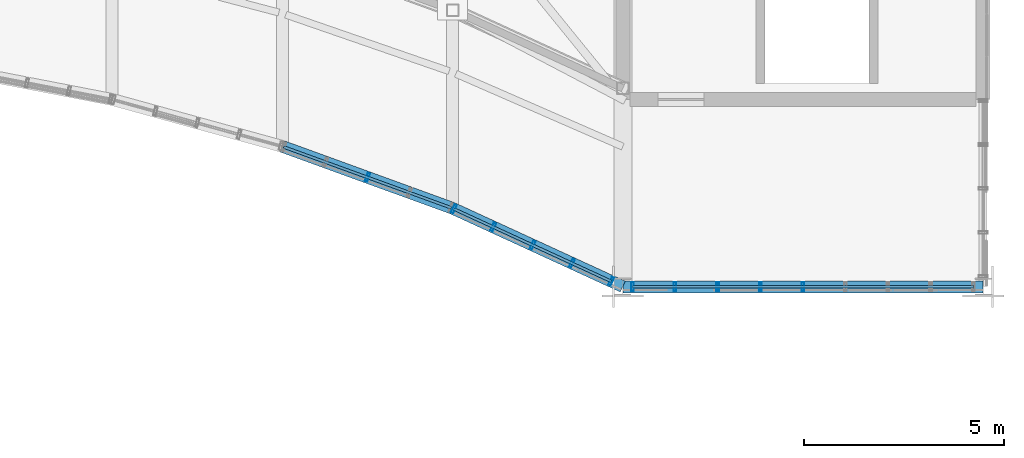
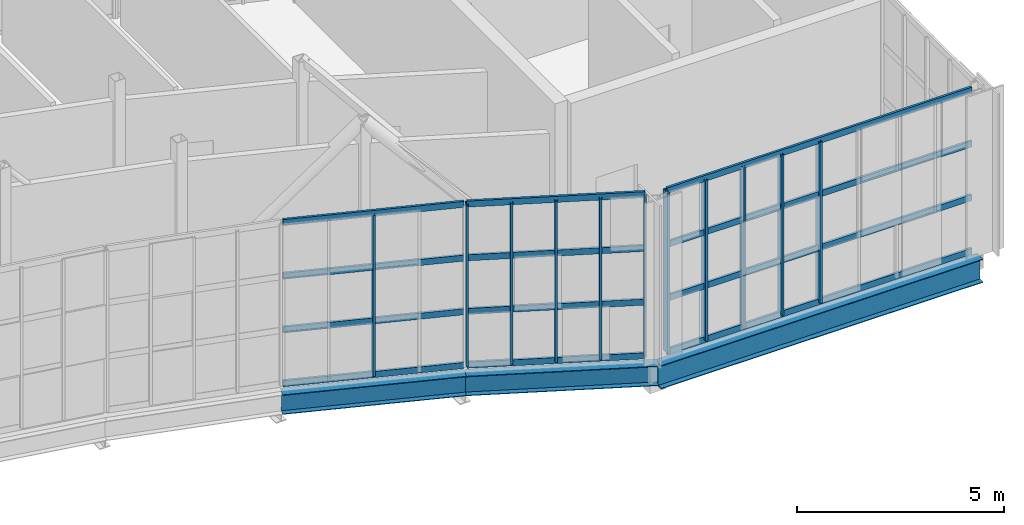
# One storey, part 23 of 46: 23 members, 3 beams, 3 elements without a shape of their own.
"""IFC4 building model written with IfcOpenShell, lengths in metres."""

from ifc_helpers import new_model, si_unit, direction, frame, origin, origin_2d, place, context, subcontext, project, spatial, hollow_rectangle, i_section, extrude, material, material_profile, profile_set, type_object, element, aggregate, save


model = new_model("IFC4")

# Units and contexts
model_context = context("Model", 3, precision=1e-05, world=origin(), true_north=direction((0.0, 1.0)))
body_context = subcontext(model_context, "Body", "Model", "MODEL_VIEW")
ifc_project = project(units=[si_unit("LENGTHUNIT", "METRE"), si_unit("AREAUNIT", "SQUARE_METRE"), si_unit("VOLUMEUNIT", "CUBIC_METRE"), si_unit("PLANEANGLEUNIT", "RADIAN"), si_unit("MASSUNIT", "GRAM", prefix="KILO")], contexts=[model_context])

# Site, building, storey
site_placement = place(None, origin())
site = spatial("IfcSite", under=ifc_project, at=site_placement, CompositionType="ELEMENT")
building_placement = place(site_placement, origin())
building = spatial("IfcBuilding", under=site, at=building_placement, Name="Solvikara Media Centre", CompositionType="ELEMENT")
storey_placement = place(building_placement, frame((0.0, 0.0, 24.60009765625)))
storey = spatial("IfcBuildingStorey", under=building, at=storey_placement, Name="L05", CompositionType="ELEMENT", Elevation=24.60009765625)

# Beams
ifc_material_1 = material(Name="Steel S355JR", Category="steel")
ifc_material_profile_1 = material_profile(ifc_material_1, i_section(OverallWidth=0.300048828125, OverallDepth=0.69189453125, WebThickness=0.012939453125, FlangeThickness=0.02001953125, at=origin_2d()), Name="H 692x300x13x20")
ifc_profile_set_1 = profile_set([ifc_material_profile_1], Name="Steel S355JR")
beam_type_1 = type_object("IfcBeamType", Name="BM-25", PredefinedType="BEAM", material=ifc_profile_set_1)
beam_1_placement = place(storey_placement, frame((127.5, 19.320068359375, -0.568115234375), z_axis=(1.0, 0.0, 0.0), x_axis=(0.0, 1.0, 0.0)))
element("IfcBeam", 1, at=beam_1_placement, inside=storey, type_object=beam_type_1, Name="B-L05-X1643", PredefinedType="BEAM", context=body_context, shape_type="SweptSolid", body=[
    extrude(i_section(OverallWidth=0.300048828125, OverallDepth=0.69189453125, WebThickness=0.012939453125, FlangeThickness=0.02001953125, at=origin_2d()), origin(), (0.0, 0.0, 1.0), 9.0),
])
ifc_material_profile_2 = material_profile(ifc_material_1, i_section(OverallWidth=0.300048828125, OverallDepth=0.58203125, WebThickness=0.011962890625, FlangeThickness=0.01708984375, at=origin_2d()), Name="WF 582x300x12x17")
ifc_profile_set_2 = profile_set([ifc_material_profile_2], Name="Steel S355JR")
beam_type_2 = type_object("IfcBeamType", Name="BM-31", PredefinedType="SPANDREL", material=ifc_profile_set_2)
beam_2_placement = place(storey_placement, frame((119.0, 22.823974609375, -0.51318359375), z_axis=(0.939831249065, -0.341639024821, 0.0), x_axis=(0.341639024821, 0.939831249065, 0.0)))
element("IfcBeam", 2, at=beam_2_placement, inside=storey, type_object=beam_type_2, Name="B-L05-SARC-10", PredefinedType="SPANDREL", context=body_context, shape_type="SweptSolid", body=[
    extrude(i_section(OverallWidth=0.300048828125, OverallDepth=0.58203125, WebThickness=0.011962890625, FlangeThickness=0.01708984375, at=origin_2d()), origin(), (0.0, 0.0, 1.0), 4.52197265625),
])
beam_3_placement = place(storey_placement, frame((123.25, 21.279052734375, -0.51318359375), z_axis=(0.908484112169, -0.417919391673, 0.0), x_axis=(0.417919391673, 0.908484112169, 0.0)))
element("IfcBeam", 3, at=beam_3_placement, inside=storey, type_object=beam_type_2, Name="B-L05-SARC-11", PredefinedType="SPANDREL", context=body_context, shape_type="SweptSolid", body=[
    extrude(i_section(OverallWidth=0.300048828125, OverallDepth=0.58203125, WebThickness=0.011962890625, FlangeThickness=0.01708984375, at=origin_2d()), origin(), (0.0, 0.0, 1.0), 4.67822265625),
])

# Curtain wall, member
ifc_material_2 = material(Name="Anodised aluminium EN AW-6063", Category="aluminium")
curtain_wall_type_1 = type_object("IfcCurtainWallType", Name="CW-01", PredefinedType="NOTDEFINED", material=ifc_material_2)
curtain_wall_1_placement = place(storey_placement, origin())
curtain_wall_1 = element("IfcCurtainWall", 4, at=curtain_wall_1_placement, inside=storey, type_object=curtain_wall_type_1, Name="CW-L05-SARC-10", PredefinedType="NOTDEFINED")
ifc_material_profile_3 = material_profile(ifc_material_2, hollow_rectangle(XDim=0.06494140625, YDim=0.219970703125, WallThickness=0.00390625, at=origin_2d()), Name="ALU-M 65x220x4")
ifc_profile_set_3 = profile_set([ifc_material_profile_3], Name="Anodised aluminium EN AW-6063")
member_type_1 = type_object("IfcMemberType", Name="MF-01", PredefinedType="MULLION", material=ifc_profile_set_3)
member_1_placement = place(storey_placement, frame((121.125, 22.051025390625, 0.02001953125), z_axis=(0.0, 0.0, 1.0), x_axis=(0.939823877818, -0.341659302058, 0.0)))
member_1 = element("IfcMember", 5, at=member_1_placement, type_object=member_type_1, Name="CW-L05-SARC-10-M02", PredefinedType="MULLION", context=body_context, shape_type="SweptSolid", body=[
    extrude(hollow_rectangle(XDim=0.06494140625, YDim=0.219970703125, WallThickness=0.00390625, at=origin_2d()), origin(), (0.0, 0.0, 1.0), 4.759765625),
])

# Curtain wall, members
curtain_wall_2_placement = place(storey_placement, origin())
curtain_wall_2 = element("IfcCurtainWall", 6, at=curtain_wall_2_placement, inside=storey, type_object=curtain_wall_type_1, Name="CW-L05-SARC-11", PredefinedType="NOTDEFINED")
member_2_placement = place(storey_placement, frame((123.281982421875, 21.263916015625, 0.02001953125), z_axis=(0.0, 0.0, 1.0), x_axis=(0.908464413608, -0.417962210264, 0.0)))
member_2 = element("IfcMember", 7, at=member_2_placement, type_object=member_type_1, Name="CW-L05-SARC-11-M00", PredefinedType="MULLION", context=body_context, shape_type="SweptSolid", body=[
    extrude(hollow_rectangle(XDim=0.06494140625, YDim=0.219970703125, WallThickness=0.00390625, at=origin_2d()), origin(), (0.0, 0.0, 1.0), 4.759765625),
])
member_3_placement = place(storey_placement, frame((124.264892578125, 20.81201171875, 0.02001953125), z_axis=(0.0, 0.0, 1.0), x_axis=(0.908464413608, -0.417962210264, 0.0)))
member_3 = element("IfcMember", 8, at=member_3_placement, type_object=member_type_1, Name="CW-L05-SARC-11-M01", PredefinedType="MULLION", context=body_context, shape_type="SweptSolid", body=[
    extrude(hollow_rectangle(XDim=0.06494140625, YDim=0.219970703125, WallThickness=0.00390625, at=origin_2d()), origin(), (0.0, 0.0, 1.0), 4.759765625),
])
member_4_placement = place(storey_placement, frame((125.248046875, 20.360107421875, 0.02001953125), z_axis=(0.0, 0.0, 1.0), x_axis=(0.908464413608, -0.417962210264, 0.0)))
member_4 = element("IfcMember", 9, at=member_4_placement, type_object=member_type_1, Name="CW-L05-SARC-11-M02", PredefinedType="MULLION", context=body_context, shape_type="SweptSolid", body=[
    extrude(hollow_rectangle(XDim=0.06494140625, YDim=0.219970703125, WallThickness=0.00390625, at=origin_2d()), origin(), (0.0, 0.0, 1.0), 4.759765625),
])
member_5_placement = place(storey_placement, frame((126.23095703125, 19.906982421875, 0.02001953125), z_axis=(0.0, 0.0, 1.0), x_axis=(0.908464413608, -0.417962210264, 0.0)))
member_5 = element("IfcMember", 10, at=member_5_placement, type_object=member_type_1, Name="CW-L05-SARC-11-M03", PredefinedType="MULLION", context=body_context, shape_type="SweptSolid", body=[
    extrude(hollow_rectangle(XDim=0.06494140625, YDim=0.219970703125, WallThickness=0.00390625, at=origin_2d()), origin(), (0.0, 0.0, 1.0), 4.759765625),
])
member_6_placement = place(storey_placement, frame((127.214111328125, 19.455078125, 0.02001953125), z_axis=(0.0, 0.0, 1.0), x_axis=(0.908464413608, -0.417962210264, 0.0)))
member_6 = element("IfcMember", 11, at=member_6_placement, type_object=member_type_1, Name="CW-L05-SARC-11-M04", PredefinedType="MULLION", context=body_context, shape_type="SweptSolid", body=[
    extrude(hollow_rectangle(XDim=0.06494140625, YDim=0.219970703125, WallThickness=0.00390625, at=origin_2d()), origin(), (0.0, 0.0, 1.0), 4.759765625),
])

curtain_wall_type_2 = type_object("IfcCurtainWallType", Name="CW-10", PredefinedType="NOTDEFINED", material=ifc_material_2)
curtain_wall_3_placement = place(storey_placement, origin())
curtain_wall_3 = element("IfcCurtainWall", 12, at=curtain_wall_3_placement, inside=storey, type_object=curtain_wall_type_2, Name="CW-L05-BHES", PredefinedType="NOTDEFINED")
member_7_placement = place(storey_placement, frame((127.742919921875, 19.323974609375, 0.02001953125), z_axis=(0.0, 0.0, 1.0), x_axis=(1.0, 0.0, 0.0)))
member_7 = element("IfcMember", 13, at=member_7_placement, type_object=member_type_1, Name="CW-L05-BHES-M00", PredefinedType="MULLION", context=body_context, shape_type="SweptSolid", body=[
    extrude(hollow_rectangle(XDim=0.06494140625, YDim=0.219970703125, WallThickness=0.00390625, at=origin_2d()), origin(), (0.0, 0.0, 1.0), 4.759765625),
])
member_8_placement = place(storey_placement, frame((128.806884765625, 19.323974609375, 0.02001953125), z_axis=(0.0, 0.0, 1.0), x_axis=(1.0, 0.0, 0.0)))
member_8 = element("IfcMember", 14, at=member_8_placement, type_object=member_type_1, Name="CW-L05-BHES-M01", PredefinedType="MULLION", context=body_context, shape_type="SweptSolid", body=[
    extrude(hollow_rectangle(XDim=0.06494140625, YDim=0.219970703125, WallThickness=0.00390625, at=origin_2d()), origin(), (0.0, 0.0, 1.0), 4.759765625),
])
member_9_placement = place(storey_placement, frame((129.87109375, 19.323974609375, 0.02001953125), z_axis=(0.0, 0.0, 1.0), x_axis=(1.0, 0.0, 0.0)))
member_9 = element("IfcMember", 15, at=member_9_placement, type_object=member_type_1, Name="CW-L05-BHES-M02", PredefinedType="MULLION", context=body_context, shape_type="SweptSolid", body=[
    extrude(hollow_rectangle(XDim=0.06494140625, YDim=0.219970703125, WallThickness=0.00390625, at=origin_2d()), origin(), (0.0, 0.0, 1.0), 4.759765625),
])
member_10_placement = place(storey_placement, frame((130.93505859375, 19.323974609375, 0.02001953125), z_axis=(0.0, 0.0, 1.0), x_axis=(1.0, 0.0, 0.0)))
member_10 = element("IfcMember", 16, at=member_10_placement, type_object=member_type_1, Name="CW-L05-BHES-M03", PredefinedType="MULLION", context=body_context, shape_type="SweptSolid", body=[
    extrude(hollow_rectangle(XDim=0.06494140625, YDim=0.219970703125, WallThickness=0.00390625, at=origin_2d()), origin(), (0.0, 0.0, 1.0), 4.759765625),
])
member_11_placement = place(storey_placement, frame((132.0, 19.323974609375, 0.02001953125), z_axis=(0.0, 0.0, 1.0), x_axis=(1.0, 0.0, 0.0)))
member_11 = element("IfcMember", 17, at=member_11_placement, type_object=member_type_1, Name="CW-L05-BHES-M04", PredefinedType="MULLION", context=body_context, shape_type="SweptSolid", body=[
    extrude(hollow_rectangle(XDim=0.06494140625, YDim=0.219970703125, WallThickness=0.00390625, at=origin_2d()), origin(), (0.0, 0.0, 1.0), 4.759765625),
])

# Member
ifc_material_profile_4 = material_profile(ifc_material_2, hollow_rectangle(XDim=0.06494140625, YDim=0.179931640625, WallThickness=0.00341796875, at=origin_2d()), Name="ALU-T 65x180x3.5")
ifc_profile_set_4 = profile_set([ifc_material_profile_4], Name="Anodised aluminium EN AW-6063")
member_type_2 = type_object("IfcMemberType", Name="MF-07", PredefinedType="USERDEFINED", material=ifc_profile_set_4)
member_12_placement = place(storey_placement, frame((119.032958984375, 22.81201171875, 0.02001953125), z_axis=(0.939828643467, -0.341646192601, 0.0), x_axis=(0.341646192601, 0.939828643467, 0.0)))
member_12 = element("IfcMember", 18, at=member_12_placement, type_object=member_type_2, Name="CW-L05-SARC-10-T00", ObjectType="TRANSOM", PredefinedType="USERDEFINED", context=body_context, shape_type="SweptSolid", body=[
    extrude(hollow_rectangle(XDim=0.06494140625, YDim=0.179931640625, WallThickness=0.00341796875, at=origin_2d()), origin(), (0.0, 0.0, 1.0), 4.451904296875),
])

member_13_placement = place(storey_placement, frame((119.032958984375, 22.81201171875, 1.60693359375), z_axis=(0.939828643467, -0.341646192601, 0.0), x_axis=(0.341646192601, 0.939828643467, 0.0)))
member_13 = element("IfcMember", 19, at=member_13_placement, type_object=member_type_2, Name="CW-L05-SARC-10-T01", ObjectType="TRANSOM", PredefinedType="USERDEFINED", context=body_context, shape_type="SweptSolid", body=[
    extrude(hollow_rectangle(XDim=0.06494140625, YDim=0.179931640625, WallThickness=0.00341796875, at=origin_2d()), origin(), (0.0, 0.0, 1.0), 4.451904296875),
])

member_14_placement = place(storey_placement, frame((119.032958984375, 22.81201171875, 3.19287109375), z_axis=(0.939828643467, -0.341646192601, 0.0), x_axis=(0.341646192601, 0.939828643467, 0.0)))
member_14 = element("IfcMember", 20, at=member_14_placement, type_object=member_type_2, Name="CW-L05-SARC-10-T02", ObjectType="TRANSOM", PredefinedType="USERDEFINED", context=body_context, shape_type="SweptSolid", body=[
    extrude(hollow_rectangle(XDim=0.06494140625, YDim=0.179931640625, WallThickness=0.00341796875, at=origin_2d()), origin(), (0.0, 0.0, 1.0), 4.451904296875),
])

member_15_placement = place(storey_placement, frame((119.032958984375, 22.81201171875, 4.77978515625), z_axis=(0.939828643467, -0.341646192601, 0.0), x_axis=(0.341646192601, 0.939828643467, 0.0)))
member_15 = element("IfcMember", 21, at=member_15_placement, type_object=member_type_2, Name="CW-L05-SARC-10-T03", ObjectType="TRANSOM", PredefinedType="USERDEFINED", context=body_context, shape_type="SweptSolid", body=[
    extrude(hollow_rectangle(XDim=0.06494140625, YDim=0.179931640625, WallThickness=0.00341796875, at=origin_2d()), origin(), (0.0, 0.0, 1.0), 4.451904296875),
])

aggregate(curtain_wall_1, [member_1, member_12, member_13, member_14, member_15])

member_16_placement = place(storey_placement, frame((123.281982421875, 21.263916015625, 0.02001953125), z_axis=(0.908485312883, -0.417916781519, 0.0), x_axis=(0.417916781519, 0.908485312883, 0.0)))
member_16 = element("IfcMember", 22, at=member_16_placement, type_object=member_type_2, Name="CW-L05-SARC-11-T00", ObjectType="TRANSOM", PredefinedType="USERDEFINED", context=body_context, shape_type="SweptSolid", body=[
    extrude(hollow_rectangle(XDim=0.06494140625, YDim=0.179931640625, WallThickness=0.00341796875, at=origin_2d()), origin(), (0.0, 0.0, 1.0), 4.328125),
])

member_17_placement = place(storey_placement, frame((123.281982421875, 21.263916015625, 1.60693359375), z_axis=(0.908485312883, -0.417916781519, 0.0), x_axis=(0.417916781519, 0.908485312883, 0.0)))
member_17 = element("IfcMember", 23, at=member_17_placement, type_object=member_type_2, Name="CW-L05-SARC-11-T01", ObjectType="TRANSOM", PredefinedType="USERDEFINED", context=body_context, shape_type="SweptSolid", body=[
    extrude(hollow_rectangle(XDim=0.06494140625, YDim=0.179931640625, WallThickness=0.00341796875, at=origin_2d()), origin(), (0.0, 0.0, 1.0), 4.328125),
])

member_18_placement = place(storey_placement, frame((123.281982421875, 21.263916015625, 3.19287109375), z_axis=(0.908485312883, -0.417916781519, 0.0), x_axis=(0.417916781519, 0.908485312883, 0.0)))
member_18 = element("IfcMember", 24, at=member_18_placement, type_object=member_type_2, Name="CW-L05-SARC-11-T02", ObjectType="TRANSOM", PredefinedType="USERDEFINED", context=body_context, shape_type="SweptSolid", body=[
    extrude(hollow_rectangle(XDim=0.06494140625, YDim=0.179931640625, WallThickness=0.00341796875, at=origin_2d()), origin(), (0.0, 0.0, 1.0), 4.328125),
])

member_19_placement = place(storey_placement, frame((123.281982421875, 21.263916015625, 4.77978515625), z_axis=(0.908485312883, -0.417916781519, 0.0), x_axis=(0.417916781519, 0.908485312883, 0.0)))
member_19 = element("IfcMember", 25, at=member_19_placement, type_object=member_type_2, Name="CW-L05-SARC-11-T03", ObjectType="TRANSOM", PredefinedType="USERDEFINED", context=body_context, shape_type="SweptSolid", body=[
    extrude(hollow_rectangle(XDim=0.06494140625, YDim=0.179931640625, WallThickness=0.00341796875, at=origin_2d()), origin(), (0.0, 0.0, 1.0), 4.328125),
])

aggregate(curtain_wall_2, [member_2, member_3, member_4, member_5, member_6, member_16, member_17, member_18, member_19])

member_20_placement = place(storey_placement, frame((127.742919921875, 19.323974609375, 0.02001953125), z_axis=(1.0, 0.0, 0.0), x_axis=(0.0, 1.0, 0.0)))
member_20 = element("IfcMember", 26, at=member_20_placement, type_object=member_type_2, Name="CW-L05-BHES-T00", ObjectType="TRANSOM", PredefinedType="USERDEFINED", context=body_context, shape_type="SweptSolid", body=[
    extrude(hollow_rectangle(XDim=0.06494140625, YDim=0.179931640625, WallThickness=0.00341796875, at=origin_2d()), origin(), (0.0, 0.0, 1.0), 8.51318359375),
])

member_21_placement = place(storey_placement, frame((127.742919921875, 19.323974609375, 1.60693359375), z_axis=(1.0, 0.0, 0.0), x_axis=(0.0, 1.0, 0.0)))
member_21 = element("IfcMember", 27, at=member_21_placement, type_object=member_type_2, Name="CW-L05-BHES-T01", ObjectType="TRANSOM", PredefinedType="USERDEFINED", context=body_context, shape_type="SweptSolid", body=[
    extrude(hollow_rectangle(XDim=0.06494140625, YDim=0.179931640625, WallThickness=0.00341796875, at=origin_2d()), origin(), (0.0, 0.0, 1.0), 8.51318359375),
])

member_22_placement = place(storey_placement, frame((127.742919921875, 19.323974609375, 3.19287109375), z_axis=(1.0, 0.0, 0.0), x_axis=(0.0, 1.0, 0.0)))
member_22 = element("IfcMember", 28, at=member_22_placement, type_object=member_type_2, Name="CW-L05-BHES-T02", ObjectType="TRANSOM", PredefinedType="USERDEFINED", context=body_context, shape_type="SweptSolid", body=[
    extrude(hollow_rectangle(XDim=0.06494140625, YDim=0.179931640625, WallThickness=0.00341796875, at=origin_2d()), origin(), (0.0, 0.0, 1.0), 8.51318359375),
])

member_23_placement = place(storey_placement, frame((127.742919921875, 19.323974609375, 4.77978515625), z_axis=(1.0, 0.0, 0.0), x_axis=(0.0, 1.0, 0.0)))
member_23 = element("IfcMember", 29, at=member_23_placement, type_object=member_type_2, Name="CW-L05-BHES-T03", ObjectType="TRANSOM", PredefinedType="USERDEFINED", context=body_context, shape_type="SweptSolid", body=[
    extrude(hollow_rectangle(XDim=0.06494140625, YDim=0.179931640625, WallThickness=0.00341796875, at=origin_2d()), origin(), (0.0, 0.0, 1.0), 8.51318359375),
])

aggregate(curtain_wall_3, [member_7, member_8, member_9, member_10, member_11, member_20, member_21, member_22, member_23])

save(model, "model.ifc")
